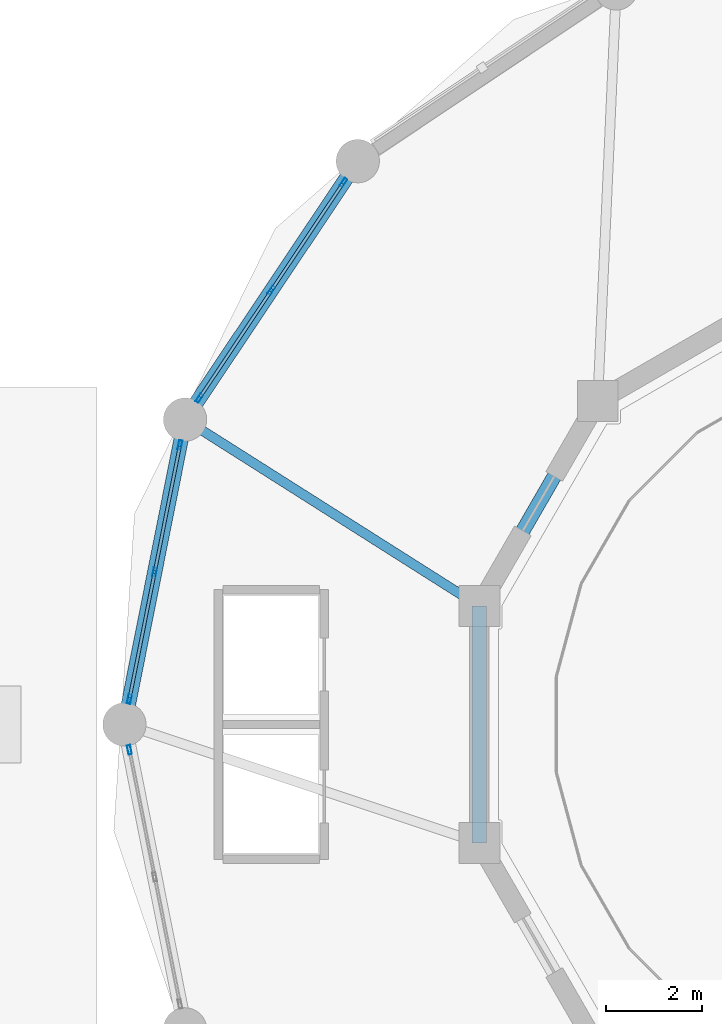
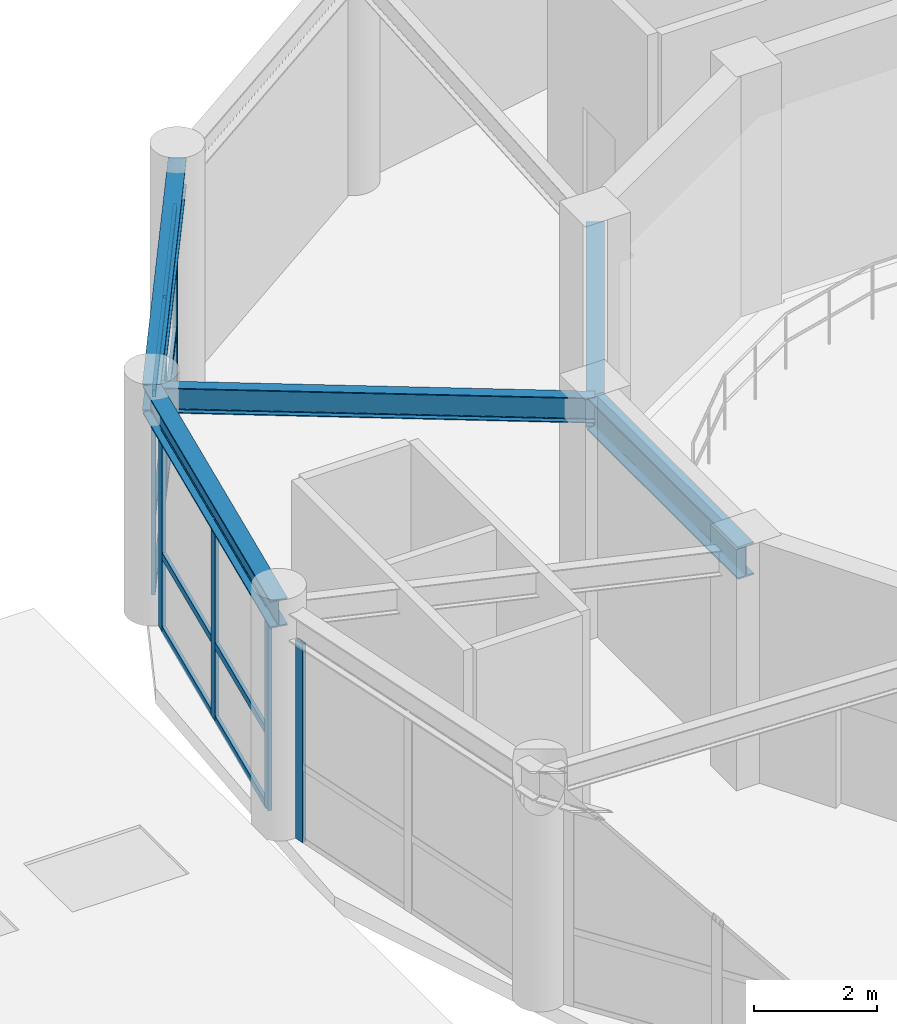
# One storey, part 12 of 34: 19 members, 5 beams, 3 elements without a shape of their own.
"""IFC4 building model written with IfcOpenShell, lengths in metres."""

from ifc_helpers import new_model, si_unit, derived_unit, direction, frame, origin, origin_2d, place, context, subcontext, project, spatial, hollow_rectangle, i_section, extrude, source, transform, mapped, material, layer, layer_set, material_profile, profile_set, type_object, element, aggregate, save


model = new_model("IFC4")

# Units and contexts
model_context = context("Model", 3, precision=1e-05, world=origin(), true_north=direction((0.0, 1.0)))
body_context = subcontext(model_context, "Body", "Model", "MODEL_VIEW")
ifc_project = project(units=[si_unit("LENGTHUNIT", "METRE"), si_unit("AREAUNIT", "SQUARE_METRE"), si_unit("VOLUMEUNIT", "CUBIC_METRE"), si_unit("PLANEANGLEUNIT", "RADIAN"), si_unit("MASSUNIT", "GRAM", prefix="KILO"), derived_unit("THERMALTRANSMITTANCEUNIT", [(si_unit("POWERUNIT", "WATT"), 1), (si_unit("LENGTHUNIT", "METRE"), -2), (si_unit("THERMODYNAMICTEMPERATUREUNIT", "KELVIN"), -1)])], contexts=[model_context])

# Site, building, storey
site_placement = place(None, origin())
site = spatial("IfcSite", under=ifc_project, at=site_placement, CompositionType="ELEMENT")
building_placement = place(site_placement, origin())
building = spatial("IfcBuilding", under=site, at=building_placement, Name="Korsvarv Bourse and Concert Hall", CompositionType="ELEMENT")
storey_placement = place(building_placement, frame((0.0, 0.0, 14.39990234375)))
storey = spatial("IfcBuildingStorey", under=building, at=storey_placement, Name="L03", CompositionType="ELEMENT", Elevation=14.39990234375)

# Beams
ifc_material_1 = material(Name="Steel S355", Category="steel")
ifc_material_profile_1 = material_profile(ifc_material_1, i_section(OverallWidth=0.300048828125, OverallDepth=0.550048828125, WebThickness=0.014892578125, FlangeThickness=0.029052734375, FilletRadius=0.02392578125, at=origin_2d()), Name="HEB 550")
ifc_profile_set_1 = profile_set([ifc_material_profile_1], Name="Steel S355")
beam_type_1 = type_object("IfcBeamType", Name="BM-HEB550", PredefinedType="BEAM", material=ifc_profile_set_1)
shared_shape_1 = source(origin(), body_context, "Body", "SweptSolid", [
    extrude(i_section(OverallWidth=0.300048828125, OverallDepth=0.550048828125, WebThickness=0.014892578125, FlangeThickness=0.029052734375, FilletRadius=0.02392578125, at=origin_2d()), origin(), (0.0, 0.0, 1.0), 6.45751953125),
])
for number, where, z_axis, x_axis, name in (
    (1, (95.097412109375, 47.70263671875, 4.22509765625), (-0.55558109052, -0.83146235745, 0.0), (0.83146235745, -0.55558109052, 0.0), "L03 beam B-06"),
    (2, (91.509765625, 42.33349609375, 4.22509765625), (-0.195083607229, -0.980786616034, 0.0), (0.980786616034, -0.195083607229, 0.0), "L03 beam B-06"),
):
    element("IfcBeam", number, at=place(storey_placement, frame(where, z_axis=z_axis, x_axis=x_axis)), inside=storey, type_object=beam_type_1, Name=name, PredefinedType="BEAM", context=body_context, shape_type="MappedRepresentation", body=[
        mapped(shared_shape_1, transform((0.0, 0.0, 0.0), scale=1.0)),
    ])
ifc_material_profile_2 = material_profile(ifc_material_1, i_section(OverallWidth=0.300048828125, OverallDepth=0.64990234375, WebThickness=0.01611328125, FlangeThickness=0.031005859375, FilletRadius=0.027099609375, at=origin_2d()), Name="HEB 650")
ifc_profile_set_2 = profile_set([ifc_material_profile_2], Name="Steel S355")
beam_type_2 = type_object("IfcBeamType", Name="BM-HEB650", PredefinedType="BEAM", material=ifc_profile_set_2)
shared_shape_2 = source(origin(), body_context, "Body", "SweptSolid", [
    extrude(i_section(OverallWidth=0.300048828125, OverallDepth=0.64990234375, WebThickness=0.01611328125, FlangeThickness=0.031005859375, FilletRadius=0.027099609375, at=origin_2d()), origin(), (0.0, 0.0, 1.0), 4.91748046875),
])
for number, where, z_axis, x_axis, name in (
    (3, (100.08251953125, 42.717529296875, 4.175048828125), (-0.499988900423, -0.866031812033, 0.0), (0.866031812033, -0.499988900423, 0.0), "L03 beam B-04"),
    (4, (97.623779296875, 38.458740234375, 4.175048828125), (0.0, -1.0, 0.0), (1.0, 0.0, 0.0), "L03 beam B-04"),
):
    element("IfcBeam", number, at=place(storey_placement, frame(where, z_axis=z_axis, x_axis=x_axis)), inside=storey, type_object=beam_type_2, Name=name, PredefinedType="BEAM", context=body_context, shape_type="MappedRepresentation", body=[
        mapped(shared_shape_2, transform((0.0, 0.0, 0.0), scale=1.0)),
    ])
ifc_material_profile_3 = material_profile(ifc_material_1, i_section(OverallWidth=0.199951171875, OverallDepth=0.5, WebThickness=0.01025390625, FlangeThickness=0.01611328125, FilletRadius=0.02099609375, at=origin_2d()), Name="IPE 500")
ifc_profile_set_3 = profile_set([ifc_material_profile_3], Name="Steel S355")
beam_type_3 = type_object("IfcBeamType", Name="BM-IPE500", PredefinedType="JOIST", material=ifc_profile_set_3)
shared_shape_3 = source(origin(), body_context, "Body", "SweptSolid", [
    extrude(i_section(OverallWidth=0.199951171875, OverallDepth=0.5, WebThickness=0.01025390625, FlangeThickness=0.01611328125, FilletRadius=0.02099609375, at=origin_2d()), origin(), (0.0, 0.0, 1.0), 7.238525390625),
])
beam_placement = place(storey_placement, frame((97.623779296875, 38.458740234375, 4.25), z_axis=(-0.844659971835, 0.53530321499, 0.0), x_axis=(-0.53530321499, -0.844659971835, 0.0)))
element("IfcBeam", 5, at=beam_placement, inside=storey, type_object=beam_type_3, Name="L03 beam J-03", PredefinedType="JOIST", context=body_context, shape_type="MappedRepresentation", body=[
    mapped(shared_shape_3, transform((0.0, 0.0, 0.0), scale=1.0)),
])

# Curtain wall, members
ifc_material_2 = material(Name="Anodised aluminium and triple low-E glazing", Category="glass")
ifc_layer = layer(ifc_material_2, 0.22998046875)
ifc_layer_set = layer_set([ifc_layer], Name="Anodised aluminium and triple low-E glazing")
curtain_wall_type = type_object("IfcCurtainWallType", Name="CW-SYS-6", PredefinedType="NOTDEFINED", material=ifc_layer_set)
curtain_wall_1_placement = place(storey_placement, origin())
curtain_wall_1 = element("IfcCurtainWall", 6, at=curtain_wall_1_placement, inside=storey, type_object=curtain_wall_type, Name="L03 CW6 curtain wall CW-L03-CH07", PredefinedType="NOTDEFINED")
ifc_material_3 = material(Name="Extruded aluminium EN AW-6063 T66", Category="aluminium")
ifc_material_profile_4 = material_profile(ifc_material_3, hollow_rectangle(XDim=0.06494140625, YDim=0.139892578125, WallThickness=0.00390625, at=origin_2d()), Name="ALU-T 65x140")
ifc_profile_set_4 = profile_set([ifc_material_profile_4], Name="Extruded aluminium EN AW-6063 T66")
member_type_1 = type_object("IfcMemberType", Name="CWT-140", PredefinedType="USERDEFINED", material=ifc_profile_set_4)
shared_shape_4 = source(origin(), body_context, "Body", "SweptSolid", [
    extrude(hollow_rectangle(XDim=0.06494140625, YDim=0.139892578125, WallThickness=0.00390625, at=origin_2d()), origin(), (0.0, 0.0, 1.0), 2.62353515625),
])
member_1_placement = place(storey_placement, frame((94.780517578125, 47.228515625, 0.03271484375), z_axis=(-0.555558901624, -0.831477183587, 0.0), x_axis=(0.831477183587, -0.555558901624, 0.0)))
member_1 = element("IfcMember", 7, at=member_1_placement, type_object=member_type_1, Name="CW6 transom 1.1", ObjectType="TRANSOM", PredefinedType="USERDEFINED", context=body_context, shape_type="MappedRepresentation", body=[
    mapped(shared_shape_4, transform((0.0, 0.0, 0.0), scale=1.0)),
])
member_2_placement = place(storey_placement, frame((94.780517578125, 47.228515625, 1.5009765625), z_axis=(-0.555558901624, -0.831477183587, 0.0), x_axis=(0.831477183587, -0.555558901624, 0.0)))
member_2 = element("IfcMember", 8, at=member_2_placement, type_object=member_type_1, Name="CW6 transom 1.2", ObjectType="TRANSOM", PredefinedType="USERDEFINED", context=body_context, shape_type="MappedRepresentation", body=[
    mapped(shared_shape_4, transform((0.0, 0.0, 0.0), scale=1.0)),
])
member_3_placement = place(storey_placement, frame((94.780517578125, 47.228515625, 3.91748046875), z_axis=(-0.555558901624, -0.831477183587, 0.0), x_axis=(0.831477183587, -0.555558901624, 0.0)))
member_3 = element("IfcMember", 9, at=member_3_placement, type_object=member_type_1, Name="CW6 transom 1.3", ObjectType="TRANSOM", PredefinedType="USERDEFINED", context=body_context, shape_type="MappedRepresentation", body=[
    mapped(shared_shape_4, transform((0.0, 0.0, 0.0), scale=1.0)),
])
member_4_placement = place(storey_placement, frame((93.2841796875, 44.989013671875, 0.03271484375), z_axis=(-0.555558901624, -0.831477183587, 0.0), x_axis=(0.831477183587, -0.555558901624, 0.0)))
member_4 = element("IfcMember", 10, at=member_4_placement, type_object=member_type_1, Name="CW6 transom 2.1", ObjectType="TRANSOM", PredefinedType="USERDEFINED", context=body_context, shape_type="MappedRepresentation", body=[
    mapped(shared_shape_4, transform((0.0, 0.0, 0.0), scale=1.0)),
])
member_5_placement = place(storey_placement, frame((93.2841796875, 44.989013671875, 1.5009765625), z_axis=(-0.555558901624, -0.831477183587, 0.0), x_axis=(0.831477183587, -0.555558901624, 0.0)))
member_5 = element("IfcMember", 11, at=member_5_placement, type_object=member_type_1, Name="CW6 transom 2.2", ObjectType="TRANSOM", PredefinedType="USERDEFINED", context=body_context, shape_type="MappedRepresentation", body=[
    mapped(shared_shape_4, transform((0.0, 0.0, 0.0), scale=1.0)),
])
member_6_placement = place(storey_placement, frame((93.2841796875, 44.989013671875, 3.91748046875), z_axis=(-0.555558901624, -0.831477183587, 0.0), x_axis=(0.831477183587, -0.555558901624, 0.0)))
member_6 = element("IfcMember", 12, at=member_6_placement, type_object=member_type_1, Name="CW6 transom 2.3", ObjectType="TRANSOM", PredefinedType="USERDEFINED", context=body_context, shape_type="MappedRepresentation", body=[
    mapped(shared_shape_4, transform((0.0, 0.0, 0.0), scale=1.0)),
])

curtain_wall_2_placement = place(storey_placement, origin())
curtain_wall_2 = element("IfcCurtainWall", 13, at=curtain_wall_2_placement, inside=storey, type_object=curtain_wall_type, Name="L03 CW6 curtain wall CW-L03-CH08", PredefinedType="NOTDEFINED")
member_7_placement = place(storey_placement, frame((91.3984375, 41.774169921875, 0.03271484375), z_axis=(-0.195042311364, -0.980794829094, 0.0), x_axis=(0.980794829094, -0.195042311364, 0.0)))
member_7 = element("IfcMember", 14, at=member_7_placement, type_object=member_type_1, Name="CW6 transom 1.1", ObjectType="TRANSOM", PredefinedType="USERDEFINED", context=body_context, shape_type="MappedRepresentation", body=[
    mapped(shared_shape_4, transform((0.0, 0.0, 0.0), scale=1.0)),
])
member_8_placement = place(storey_placement, frame((91.3984375, 41.774169921875, 1.5009765625), z_axis=(-0.195042311364, -0.980794829094, 0.0), x_axis=(0.980794829094, -0.195042311364, 0.0)))
member_8 = element("IfcMember", 15, at=member_8_placement, type_object=member_type_1, Name="CW6 transom 1.2", ObjectType="TRANSOM", PredefinedType="USERDEFINED", context=body_context, shape_type="MappedRepresentation", body=[
    mapped(shared_shape_4, transform((0.0, 0.0, 0.0), scale=1.0)),
])
member_9_placement = place(storey_placement, frame((91.3984375, 41.774169921875, 3.91748046875), z_axis=(-0.195042311364, -0.980794829094, 0.0), x_axis=(0.980794829094, -0.195042311364, 0.0)))
member_9 = element("IfcMember", 16, at=member_9_placement, type_object=member_type_1, Name="CW6 transom 1.3", ObjectType="TRANSOM", PredefinedType="USERDEFINED", context=body_context, shape_type="MappedRepresentation", body=[
    mapped(shared_shape_4, transform((0.0, 0.0, 0.0), scale=1.0)),
])

# Member
ifc_material_profile_5 = material_profile(ifc_material_3, hollow_rectangle(XDim=0.070068359375, YDim=0.18994140625, WallThickness=0.0048828125, at=origin_2d()), Name="ALU-M 70x190")
ifc_profile_set_5 = profile_set([ifc_material_profile_5], Name="Extruded aluminium EN AW-6063 T66")
member_type_2 = type_object("IfcMemberType", Name="CWM-190", PredefinedType="MULLION", material=ifc_profile_set_5)
shared_shape_5 = source(origin(), body_context, "Body", "SweptSolid", [
    extrude(hollow_rectangle(XDim=0.070068359375, YDim=0.18994140625, WallThickness=0.0048828125, at=origin_2d()), origin(), (0.0, 0.0, 1.0), 3.9501953125),
])
member_10_placement = place(storey_placement, frame((94.800048828125, 47.257568359375, 0.0), z_axis=(0.0, 0.0, 1.0), x_axis=(0.831469083386, -0.555571024599, 0.0)))
member_10 = element("IfcMember", 17, at=member_10_placement, type_object=member_type_2, Name="CW6 mullion 1", PredefinedType="MULLION", context=body_context, shape_type="MappedRepresentation", body=[
    mapped(shared_shape_5, transform((0.0, 0.0, 0.0), scale=1.0)),
])

member_11_placement = place(storey_placement, frame((93.3037109375, 45.01806640625, 0.0), z_axis=(0.0, 0.0, 1.0), x_axis=(0.831469083386, -0.555571024599, 0.0)))
member_11 = element("IfcMember", 18, at=member_11_placement, type_object=member_type_2, Name="CW6 mullion 2", PredefinedType="MULLION", context=body_context, shape_type="MappedRepresentation", body=[
    mapped(shared_shape_5, transform((0.0, 0.0, 0.0), scale=1.0)),
])

member_12_placement = place(storey_placement, frame((91.80712890625, 42.7783203125, 0.0), z_axis=(0.0, 0.0, 1.0), x_axis=(0.831469083386, -0.555571024599, 0.0)))
member_12 = element("IfcMember", 19, at=member_12_placement, type_object=member_type_2, Name="CW6 mullion 3", PredefinedType="MULLION", context=body_context, shape_type="MappedRepresentation", body=[
    mapped(shared_shape_5, transform((0.0, 0.0, 0.0), scale=1.0)),
])

aggregate(curtain_wall_1, [member_10, member_11, member_12, member_1, member_2, member_3, member_4, member_5, member_6])

member_13_placement = place(storey_placement, frame((91.4052734375, 41.80859375, 0.0), z_axis=(0.0, 0.0, 1.0), x_axis=(0.980785938629, -0.195087012862, 0.0)))
member_13 = element("IfcMember", 20, at=member_13_placement, type_object=member_type_2, Name="CW6 mullion 1", PredefinedType="MULLION", context=body_context, shape_type="MappedRepresentation", body=[
    mapped(shared_shape_5, transform((0.0, 0.0, 0.0), scale=1.0)),
])

member_14_placement = place(storey_placement, frame((90.8798828125, 39.166748046875, 0.0), z_axis=(0.0, 0.0, 1.0), x_axis=(0.980785938629, -0.195087012862, 0.0)))
member_14 = element("IfcMember", 21, at=member_14_placement, type_object=member_type_2, Name="CW6 mullion 2", PredefinedType="MULLION", context=body_context, shape_type="MappedRepresentation", body=[
    mapped(shared_shape_5, transform((0.0, 0.0, 0.0), scale=1.0)),
])

member_15_placement = place(storey_placement, frame((90.3544921875, 36.52490234375, 0.0), z_axis=(0.0, 0.0, 1.0), x_axis=(0.980785938629, -0.195087012862, 0.0)))
member_15 = element("IfcMember", 22, at=member_15_placement, type_object=member_type_2, Name="CW6 mullion 3", PredefinedType="MULLION", context=body_context, shape_type="MappedRepresentation", body=[
    mapped(shared_shape_5, transform((0.0, 0.0, 0.0), scale=1.0)),
])

# Curtain wall, member
curtain_wall_3_placement = place(storey_placement, origin())
curtain_wall_3 = element("IfcCurtainWall", 23, at=curtain_wall_3_placement, inside=storey, type_object=curtain_wall_type, Name="L03 CW6 curtain wall CW-L03-CH09", PredefinedType="NOTDEFINED")
member_16_placement = place(storey_placement, frame((90.3544921875, 35.47509765625, 0.0), z_axis=(0.0, 0.0, 1.0), x_axis=(0.980785938629, 0.195087012862, 0.0)))
member_16 = element("IfcMember", 24, at=member_16_placement, type_object=member_type_2, Name="CW6 mullion 1", PredefinedType="MULLION", context=body_context, shape_type="MappedRepresentation", body=[
    mapped(shared_shape_5, transform((0.0, 0.0, 0.0), scale=1.0)),
])
aggregate(curtain_wall_3, [member_16])

# Member
shared_shape_6 = source(origin(), body_context, "Body", "SweptSolid", [
    extrude(hollow_rectangle(XDim=0.06494140625, YDim=0.139892578125, WallThickness=0.00390625, at=origin_2d()), origin(), (0.0, 0.0, 1.0), 2.623291015625),
])
member_17_placement = place(storey_placement, frame((90.873046875, 39.13232421875, 0.03271484375), z_axis=(-0.195060113964, -0.980791288675, 0.0), x_axis=(0.980791288675, -0.195060113964, 0.0)))
member_17 = element("IfcMember", 25, at=member_17_placement, type_object=member_type_1, Name="CW6 transom 2.1", ObjectType="TRANSOM", PredefinedType="USERDEFINED", context=body_context, shape_type="MappedRepresentation", body=[
    mapped(shared_shape_6, transform((0.0, 0.0, 0.0), scale=1.0)),
])

member_18_placement = place(storey_placement, frame((90.873046875, 39.13232421875, 1.5009765625), z_axis=(-0.195060113964, -0.980791288675, 0.0), x_axis=(0.980791288675, -0.195060113964, 0.0)))
member_18 = element("IfcMember", 26, at=member_18_placement, type_object=member_type_1, Name="CW6 transom 2.2", ObjectType="TRANSOM", PredefinedType="USERDEFINED", context=body_context, shape_type="MappedRepresentation", body=[
    mapped(shared_shape_6, transform((0.0, 0.0, 0.0), scale=1.0)),
])

member_19_placement = place(storey_placement, frame((90.873046875, 39.13232421875, 3.91748046875), z_axis=(-0.195060113964, -0.980791288675, 0.0), x_axis=(0.980791288675, -0.195060113964, 0.0)))
member_19 = element("IfcMember", 27, at=member_19_placement, type_object=member_type_1, Name="CW6 transom 2.3", ObjectType="TRANSOM", PredefinedType="USERDEFINED", context=body_context, shape_type="MappedRepresentation", body=[
    mapped(shared_shape_6, transform((0.0, 0.0, 0.0), scale=1.0)),
])

aggregate(curtain_wall_2, [member_13, member_14, member_15, member_7, member_8, member_9, member_17, member_18, member_19])

save(model, "model.ifc")
